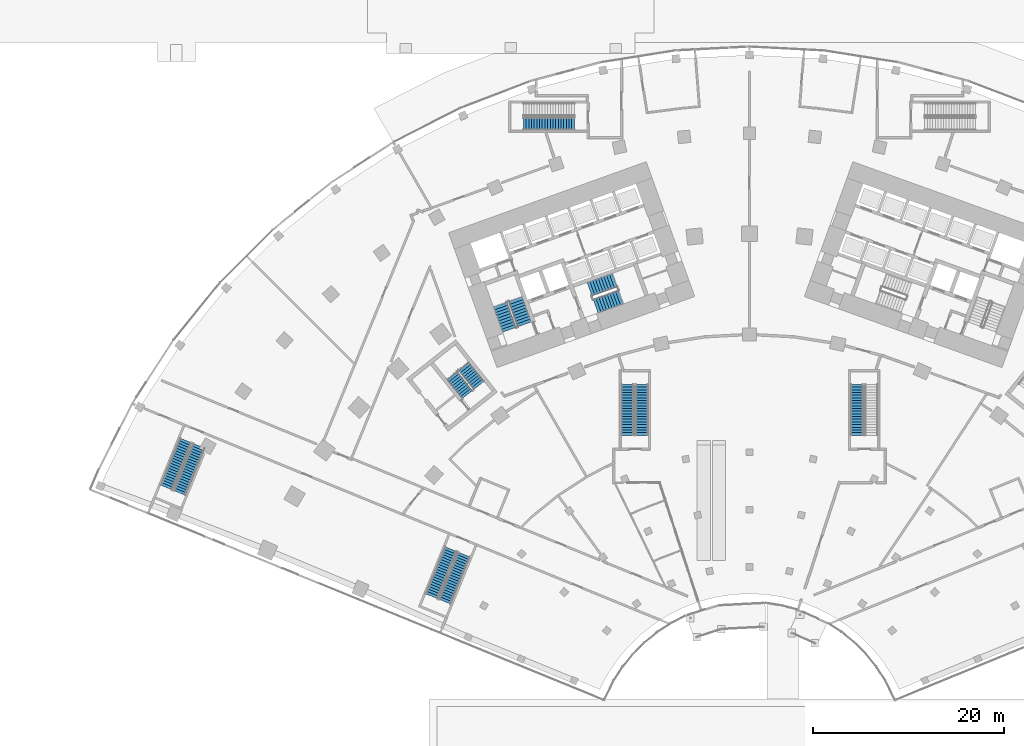
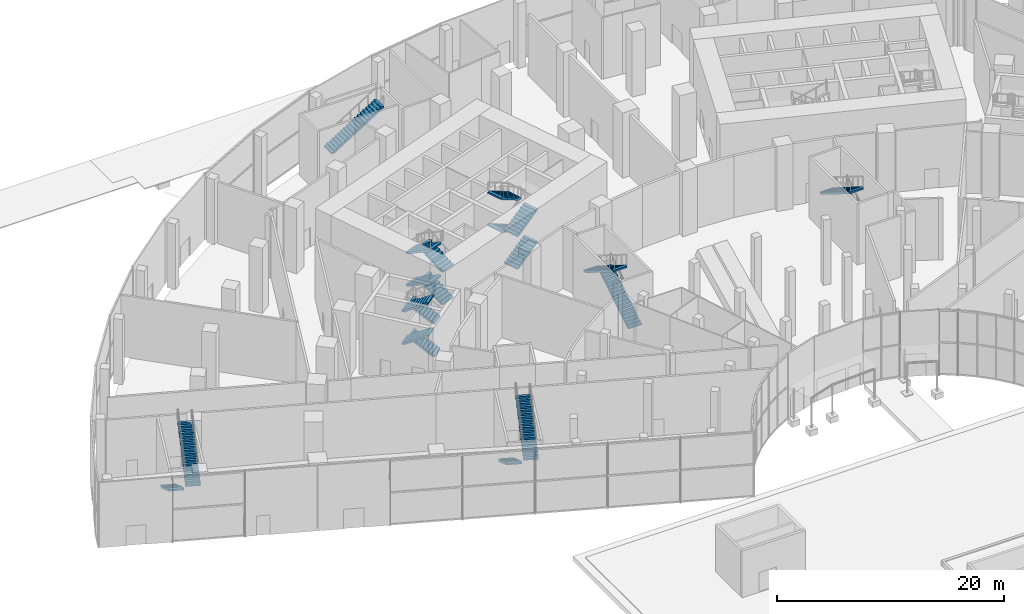
# One storey, part 39 of 60: 20 stair flights, 8 elements without a shape of their own.
"""IFC4 building model written with IfcOpenShell, lengths in metres."""

from ifc_helpers import new_model, si_unit, direction, frame, origin, place, context, subcontext, project, spatial, polyline, outline, extrude, material, layer, layer_set, type_object, element, aggregate, save


model = new_model("IFC4")

# Units and contexts
model_context = context("Model", 3, precision=1e-05, world=origin(), true_north=direction((0.0, 1.0)))
body_context = subcontext(model_context, "Body", "Model", "MODEL_VIEW")
ifc_project = project(units=[si_unit("LENGTHUNIT", "METRE"), si_unit("AREAUNIT", "SQUARE_METRE"), si_unit("VOLUMEUNIT", "CUBIC_METRE"), si_unit("PLANEANGLEUNIT", "RADIAN"), si_unit("MASSUNIT", "GRAM", prefix="KILO")], contexts=[model_context])

# Site, building, storey
site_placement = place(None, origin())
site = spatial("IfcSite", under=ifc_project, at=site_placement, CompositionType="ELEMENT")
building_placement = place(site_placement, origin())
building = spatial("IfcBuilding", under=site, at=building_placement, Name="Stone Belt Terrace Tower", CompositionType="ELEMENT")
storey_placement = place(building_placement, origin())
storey = spatial("IfcBuildingStorey", under=building, at=storey_placement, Name="L00", CompositionType="ELEMENT", Elevation=0.0)

# Stair, stair flights
ifc_material_1 = material(Name="Concrete B30", Category="concrete")
stair_type_1 = type_object("IfcStairType", Name="Podium stair concrete B30", PredefinedType="HALF_TURN_STAIR", material=ifc_material_1)
stair_1_placement = place(storey_placement, origin())
stair_1 = element("IfcStair", 1, at=stair_1_placement, inside=storey, type_object=stair_type_1, Name="L00 podium exit stair 1", PredefinedType="HALF_TURN_STAIR")
ifc_layer = layer(ifc_material_1, 0.14990234375)
ifc_layer_set = layer_set([ifc_layer], Name="Podium stair flight concrete B30")
stair_flight_type_1 = type_object("IfcStairFlightType", Name="Podium stair flight concrete B30", PredefinedType="STRAIGHT", material=ifc_layer_set)
stair_flight_1_placement = place(storey_placement, frame((-31.255126953125, 21.964111328125, 0.0), z_axis=(0.0, 0.0, 1.0), x_axis=(-0.37924309334, -0.925297074541, 0.0)))
stair_flight_1 = element("IfcStairFlight", 2, at=stair_flight_1_placement, type_object=stair_flight_type_1, Name="PS1 flight 1", NumberOfRisers=20, NumberOfTreads=19, PredefinedType="STRAIGHT", RiserHeight=0.175, TreadLength=0.28, context=body_context, shape_type="SweptSolid", body=[
    extrude(outline(polyline([(0.0, 0.0), (0.0, 0.175048828125), (0.280029296875, 0.175048828125), (0.280029296875, 0.35009765625), (0.56005859375, 0.35009765625), (0.56005859375, 0.52490234375), (0.840087890625, 0.52490234375), (0.840087890625, 0.699951171875), (1.1201171875, 0.699951171875), (1.1201171875, 0.875), (1.39990234375, 0.875), (1.39990234375, 1.050048828125), (1.679931640625, 1.050048828125), (1.679931640625, 1.22509765625), (1.9599609375, 1.22509765625), (1.9599609375, 1.39990234375), (2.239990234375, 1.39990234375), (2.239990234375, 1.574951171875), (2.52001953125, 1.574951171875), (2.52001953125, 1.75), (2.800048828125, 1.75), (2.800048828125, 1.925048828125), (3.080078125, 1.925048828125), (3.080078125, 2.10009765625), (3.360107421875, 2.10009765625), (3.360107421875, 2.27490234375), (3.639892578125, 2.27490234375), (3.639892578125, 2.449951171875), (3.919921875, 2.449951171875), (3.919921875, 2.625), (4.199951171875, 2.625), (4.199951171875, 2.800048828125), (4.47998046875, 2.800048828125), (4.47998046875, 2.97509765625), (4.760009765625, 2.97509765625), (4.760009765625, 3.14990234375), (5.0400390625, 3.14990234375), (5.0400390625, 3.324951171875), (5.320068359375, 3.324951171875), (5.320068359375, 3.5), (5.320068359375, 3.148193359375), (0.28271484375, 0.0), (0.0, 0.0)])), frame((0.0, 0.675048828125, 0.0), z_axis=(0.0, -1.0, 0.0), x_axis=(1.0, 0.0, 0.0)), (0.0, 0.0, 1.0), 1.35009765625),
])
stair_flight_2_placement = place(storey_placement, frame((-31.884765625, 16.47265625, 3.5), z_axis=(0.0, 0.0, 1.0), x_axis=(0.37924309334, 0.925297074541, 0.0)))
stair_flight_2 = element("IfcStairFlight", 3, at=stair_flight_2_placement, type_object=stair_flight_type_1, Name="PS1 flight 2", NumberOfRisers=20, NumberOfTreads=19, PredefinedType="STRAIGHT", RiserHeight=0.175, TreadLength=0.28, context=body_context, shape_type="SweptSolid", body=[
    extrude(outline(polyline([(0.0, 0.0), (0.0, 0.175048828125), (0.280029296875, 0.175048828125), (0.280029296875, 0.35009765625), (0.56005859375, 0.35009765625), (0.56005859375, 0.52490234375), (0.840087890625, 0.52490234375), (0.840087890625, 0.699951171875), (1.1201171875, 0.699951171875), (1.1201171875, 0.875), (1.39990234375, 0.875), (1.39990234375, 1.050048828125), (1.679931640625, 1.050048828125), (1.679931640625, 1.22509765625), (1.9599609375, 1.22509765625), (1.9599609375, 1.39990234375), (2.239990234375, 1.39990234375), (2.239990234375, 1.574951171875), (2.52001953125, 1.574951171875), (2.52001953125, 1.75), (2.800048828125, 1.75), (2.800048828125, 1.925048828125), (3.080078125, 1.925048828125), (3.080078125, 2.10009765625), (3.360107421875, 2.10009765625), (3.360107421875, 2.27490234375), (3.639892578125, 2.27490234375), (3.639892578125, 2.449951171875), (3.919921875, 2.449951171875), (3.919921875, 2.625), (4.199951171875, 2.625), (4.199951171875, 2.800048828125), (4.47998046875, 2.800048828125), (4.47998046875, 2.97509765625), (4.760009765625, 2.97509765625), (4.760009765625, 3.14990234375), (5.0400390625, 3.14990234375), (5.0400390625, 3.324951171875), (5.320068359375, 3.324951171875), (5.320068359375, 3.5), (5.320068359375, 3.148193359375), (0.28271484375, 0.0), (0.0, 0.0)])), frame((0.0, 0.675048828125, 0.0), z_axis=(0.0, -1.0, 0.0), x_axis=(1.0, 0.0, 0.0)), (0.0, 0.0, 1.0), 1.35009765625),
])
aggregate(stair_1, [stair_flight_1, stair_flight_2])

stair_2_placement = place(storey_placement, origin())
stair_2 = element("IfcStair", 4, at=stair_2_placement, inside=storey, type_object=stair_type_1, Name="L00 podium exit stair 2", PredefinedType="HALF_TURN_STAIR")
stair_flight_3_placement = place(storey_placement, frame((-59.01416015625, 33.34130859375, 0.0), z_axis=(0.0, 0.0, 1.0), x_axis=(-0.37924309334, -0.925297074541, 0.0)))
stair_flight_3 = element("IfcStairFlight", 5, at=stair_flight_3_placement, type_object=stair_flight_type_1, Name="PS2 flight 1", NumberOfRisers=20, NumberOfTreads=19, PredefinedType="STRAIGHT", RiserHeight=0.175, TreadLength=0.28, context=body_context, shape_type="SweptSolid", body=[
    extrude(outline(polyline([(0.0, 0.0), (0.0, 0.175048828125), (0.280029296875, 0.175048828125), (0.280029296875, 0.35009765625), (0.56005859375, 0.35009765625), (0.56005859375, 0.52490234375), (0.840087890625, 0.52490234375), (0.840087890625, 0.699951171875), (1.1201171875, 0.699951171875), (1.1201171875, 0.875), (1.39990234375, 0.875), (1.39990234375, 1.050048828125), (1.679931640625, 1.050048828125), (1.679931640625, 1.22509765625), (1.9599609375, 1.22509765625), (1.9599609375, 1.39990234375), (2.239990234375, 1.39990234375), (2.239990234375, 1.574951171875), (2.52001953125, 1.574951171875), (2.52001953125, 1.75), (2.800048828125, 1.75), (2.800048828125, 1.925048828125), (3.080078125, 1.925048828125), (3.080078125, 2.10009765625), (3.360107421875, 2.10009765625), (3.360107421875, 2.27490234375), (3.639892578125, 2.27490234375), (3.639892578125, 2.449951171875), (3.919921875, 2.449951171875), (3.919921875, 2.625), (4.199951171875, 2.625), (4.199951171875, 2.800048828125), (4.47998046875, 2.800048828125), (4.47998046875, 2.97509765625), (4.760009765625, 2.97509765625), (4.760009765625, 3.14990234375), (5.0400390625, 3.14990234375), (5.0400390625, 3.324951171875), (5.320068359375, 3.324951171875), (5.320068359375, 3.5), (5.320068359375, 3.148193359375), (0.28271484375, 0.0), (0.0, 0.0)])), frame((0.0, 0.675048828125, 0.0), z_axis=(0.0, -1.0, 0.0), x_axis=(1.0, 0.0, 0.0)), (0.0, 0.0, 1.0), 1.35009765625),
])
stair_flight_4_placement = place(storey_placement, frame((-59.6435546875, 27.849853515625, 3.5), z_axis=(0.0, 0.0, 1.0), x_axis=(0.37924309334, 0.925297074541, 0.0)))
stair_flight_4 = element("IfcStairFlight", 6, at=stair_flight_4_placement, type_object=stair_flight_type_1, Name="PS2 flight 2", NumberOfRisers=20, NumberOfTreads=19, PredefinedType="STRAIGHT", RiserHeight=0.175, TreadLength=0.28, context=body_context, shape_type="SweptSolid", body=[
    extrude(outline(polyline([(0.0, 0.0), (0.0, 0.175048828125), (0.280029296875, 0.175048828125), (0.280029296875, 0.35009765625), (0.56005859375, 0.35009765625), (0.56005859375, 0.52490234375), (0.840087890625, 0.52490234375), (0.840087890625, 0.699951171875), (1.1201171875, 0.699951171875), (1.1201171875, 0.875), (1.39990234375, 0.875), (1.39990234375, 1.050048828125), (1.679931640625, 1.050048828125), (1.679931640625, 1.22509765625), (1.9599609375, 1.22509765625), (1.9599609375, 1.39990234375), (2.239990234375, 1.39990234375), (2.239990234375, 1.574951171875), (2.52001953125, 1.574951171875), (2.52001953125, 1.75), (2.800048828125, 1.75), (2.800048828125, 1.925048828125), (3.080078125, 1.925048828125), (3.080078125, 2.10009765625), (3.360107421875, 2.10009765625), (3.360107421875, 2.27490234375), (3.639892578125, 2.27490234375), (3.639892578125, 2.449951171875), (3.919921875, 2.449951171875), (3.919921875, 2.625), (4.199951171875, 2.625), (4.199951171875, 2.800048828125), (4.47998046875, 2.800048828125), (4.47998046875, 2.97509765625), (4.760009765625, 2.97509765625), (4.760009765625, 3.14990234375), (5.0400390625, 3.14990234375), (5.0400390625, 3.324951171875), (5.320068359375, 3.324951171875), (5.320068359375, 3.5), (5.320068359375, 3.148193359375), (0.28271484375, 0.0), (0.0, 0.0)])), frame((0.0, 0.675048828125, 0.0), z_axis=(0.0, -1.0, 0.0), x_axis=(1.0, 0.0, 0.0)), (0.0, 0.0, 1.0), 1.35009765625),
])
aggregate(stair_2, [stair_flight_3, stair_flight_4])

stair_3_placement = place(storey_placement, origin())
stair_3 = element("IfcStair", 7, at=stair_3_placement, inside=storey, type_object=stair_type_1, Name="L00 podium exit stair 5", PredefinedType="HALF_TURN_STAIR")
stair_flight_5_placement = place(storey_placement, frame((-11.25, 33.889892578125, 0.0), z_axis=(0.0, 0.0, 1.0), x_axis=(0.0, 1.0, 0.0)))
stair_flight_5 = element("IfcStairFlight", 8, at=stair_flight_5_placement, type_object=stair_flight_type_1, Name="PS5 flight 1", NumberOfRisers=20, NumberOfTreads=19, PredefinedType="STRAIGHT", RiserHeight=0.175, TreadLength=0.28, context=body_context, shape_type="SweptSolid", body=[
    extrude(outline(polyline([(0.0, 0.0), (0.0, 0.175048828125), (0.280029296875, 0.175048828125), (0.280029296875, 0.35009765625), (0.56005859375, 0.35009765625), (0.56005859375, 0.52490234375), (0.840087890625, 0.52490234375), (0.840087890625, 0.699951171875), (1.1201171875, 0.699951171875), (1.1201171875, 0.875), (1.39990234375, 0.875), (1.39990234375, 1.050048828125), (1.679931640625, 1.050048828125), (1.679931640625, 1.22509765625), (1.9599609375, 1.22509765625), (1.9599609375, 1.39990234375), (2.239990234375, 1.39990234375), (2.239990234375, 1.574951171875), (2.52001953125, 1.574951171875), (2.52001953125, 1.75), (2.800048828125, 1.75), (2.800048828125, 1.925048828125), (3.080078125, 1.925048828125), (3.080078125, 2.10009765625), (3.360107421875, 2.10009765625), (3.360107421875, 2.27490234375), (3.639892578125, 2.27490234375), (3.639892578125, 2.449951171875), (3.919921875, 2.449951171875), (3.919921875, 2.625), (4.199951171875, 2.625), (4.199951171875, 2.800048828125), (4.47998046875, 2.800048828125), (4.47998046875, 2.97509765625), (4.760009765625, 2.97509765625), (4.760009765625, 3.14990234375), (5.0400390625, 3.14990234375), (5.0400390625, 3.324951171875), (5.320068359375, 3.324951171875), (5.320068359375, 3.5), (5.320068359375, 3.148193359375), (0.28271484375, 0.0), (0.0, 0.0)])), frame((0.0, 0.675048828125, 0.0), z_axis=(0.0, -1.0, 0.0), x_axis=(1.0, 0.0, 0.0)), (0.0, 0.0, 1.0), 1.35009765625),
])
stair_flight_6_placement = place(storey_placement, frame((-12.75, 39.2099609375, 3.5), z_axis=(0.0, 0.0, 1.0), x_axis=(0.0, -1.0, 0.0)))
stair_flight_6 = element("IfcStairFlight", 9, at=stair_flight_6_placement, type_object=stair_flight_type_1, Name="PS5 flight 2", NumberOfRisers=20, NumberOfTreads=19, PredefinedType="STRAIGHT", RiserHeight=0.175, TreadLength=0.28, context=body_context, shape_type="SweptSolid", body=[
    extrude(outline(polyline([(0.0, 0.0), (0.0, 0.175048828125), (0.280029296875, 0.175048828125), (0.280029296875, 0.35009765625), (0.56005859375, 0.35009765625), (0.56005859375, 0.52490234375), (0.840087890625, 0.52490234375), (0.840087890625, 0.699951171875), (1.1201171875, 0.699951171875), (1.1201171875, 0.875), (1.39990234375, 0.875), (1.39990234375, 1.050048828125), (1.679931640625, 1.050048828125), (1.679931640625, 1.22509765625), (1.9599609375, 1.22509765625), (1.9599609375, 1.39990234375), (2.239990234375, 1.39990234375), (2.239990234375, 1.574951171875), (2.52001953125, 1.574951171875), (2.52001953125, 1.75), (2.800048828125, 1.75), (2.800048828125, 1.925048828125), (3.080078125, 1.925048828125), (3.080078125, 2.10009765625), (3.360107421875, 2.10009765625), (3.360107421875, 2.27490234375), (3.639892578125, 2.27490234375), (3.639892578125, 2.449951171875), (3.919921875, 2.449951171875), (3.919921875, 2.625), (4.199951171875, 2.625), (4.199951171875, 2.800048828125), (4.47998046875, 2.800048828125), (4.47998046875, 2.97509765625), (4.760009765625, 2.97509765625), (4.760009765625, 3.14990234375), (5.0400390625, 3.14990234375), (5.0400390625, 3.324951171875), (5.320068359375, 3.324951171875), (5.320068359375, 3.5), (5.320068359375, 3.148193359375), (0.28271484375, 0.0), (0.0, 0.0)])), frame((0.0, 0.675048828125, 0.0), z_axis=(0.0, -1.0, 0.0), x_axis=(1.0, 0.0, 0.0)), (0.0, 0.0, 1.0), 1.35009765625),
])
aggregate(stair_3, [stair_flight_5, stair_flight_6])

# Stair, stair flight
stair_4_placement = place(storey_placement, origin())
stair_4 = element("IfcStair", 10, at=stair_4_placement, inside=storey, type_object=stair_type_1, Name="L00 podium exit stair 6", PredefinedType="HALF_TURN_STAIR")
stair_flight_7_placement = place(storey_placement, frame((11.25, 39.2099609375, 3.5), z_axis=(0.0, 0.0, 1.0), x_axis=(0.0, -1.0, 0.0)))
stair_flight_7 = element("IfcStairFlight", 11, at=stair_flight_7_placement, type_object=stair_flight_type_1, Name="PS6 flight 2", NumberOfRisers=20, NumberOfTreads=19, PredefinedType="STRAIGHT", RiserHeight=0.175, TreadLength=0.28, context=body_context, shape_type="SweptSolid", body=[
    extrude(outline(polyline([(0.0, 0.0), (0.0, 0.175048828125), (0.280029296875, 0.175048828125), (0.280029296875, 0.35009765625), (0.56005859375, 0.35009765625), (0.56005859375, 0.52490234375), (0.840087890625, 0.52490234375), (0.840087890625, 0.699951171875), (1.1201171875, 0.699951171875), (1.1201171875, 0.875), (1.39990234375, 0.875), (1.39990234375, 1.050048828125), (1.679931640625, 1.050048828125), (1.679931640625, 1.22509765625), (1.9599609375, 1.22509765625), (1.9599609375, 1.39990234375), (2.239990234375, 1.39990234375), (2.239990234375, 1.574951171875), (2.52001953125, 1.574951171875), (2.52001953125, 1.75), (2.800048828125, 1.75), (2.800048828125, 1.925048828125), (3.080078125, 1.925048828125), (3.080078125, 2.10009765625), (3.360107421875, 2.10009765625), (3.360107421875, 2.27490234375), (3.639892578125, 2.27490234375), (3.639892578125, 2.449951171875), (3.919921875, 2.449951171875), (3.919921875, 2.625), (4.199951171875, 2.625), (4.199951171875, 2.800048828125), (4.47998046875, 2.800048828125), (4.47998046875, 2.97509765625), (4.760009765625, 2.97509765625), (4.760009765625, 3.14990234375), (5.0400390625, 3.14990234375), (5.0400390625, 3.324951171875), (5.320068359375, 3.324951171875), (5.320068359375, 3.5), (5.320068359375, 3.148193359375), (0.28271484375, 0.0), (0.0, 0.0)])), frame((0.0, 0.675048828125, 0.0), z_axis=(0.0, -1.0, 0.0), x_axis=(1.0, 0.0, 0.0)), (0.0, 0.0, 1.0), 1.35009765625),
])
aggregate(stair_4, [stair_flight_7])

stair_5_placement = place(storey_placement, origin())
stair_5 = element("IfcStair", 12, at=stair_5_placement, inside=storey, type_object=stair_type_1, Name="L00 podium exit stair 7", PredefinedType="HALF_TURN_STAIR")
stair_flight_8_placement = place(storey_placement, frame((-23.659912109375, 66.5, 3.5), z_axis=(0.0, 0.0, 1.0), x_axis=(1.0, 0.0, 0.0)))
stair_flight_8 = element("IfcStairFlight", 13, at=stair_flight_8_placement, type_object=stair_flight_type_1, Name="PS7 flight 2", NumberOfRisers=20, NumberOfTreads=19, PredefinedType="STRAIGHT", RiserHeight=0.175, TreadLength=0.28, context=body_context, shape_type="SweptSolid", body=[
    extrude(outline(polyline([(0.0, 0.0), (0.0, 0.175048828125), (0.280029296875, 0.175048828125), (0.280029296875, 0.35009765625), (0.56005859375, 0.35009765625), (0.56005859375, 0.52490234375), (0.840087890625, 0.52490234375), (0.840087890625, 0.699951171875), (1.1201171875, 0.699951171875), (1.1201171875, 0.875), (1.39990234375, 0.875), (1.39990234375, 1.050048828125), (1.679931640625, 1.050048828125), (1.679931640625, 1.22509765625), (1.9599609375, 1.22509765625), (1.9599609375, 1.39990234375), (2.239990234375, 1.39990234375), (2.239990234375, 1.574951171875), (2.52001953125, 1.574951171875), (2.52001953125, 1.75), (2.800048828125, 1.75), (2.800048828125, 1.925048828125), (3.080078125, 1.925048828125), (3.080078125, 2.10009765625), (3.360107421875, 2.10009765625), (3.360107421875, 2.27490234375), (3.639892578125, 2.27490234375), (3.639892578125, 2.449951171875), (3.919921875, 2.449951171875), (3.919921875, 2.625), (4.199951171875, 2.625), (4.199951171875, 2.800048828125), (4.47998046875, 2.800048828125), (4.47998046875, 2.97509765625), (4.760009765625, 2.97509765625), (4.760009765625, 3.14990234375), (5.0400390625, 3.14990234375), (5.0400390625, 3.324951171875), (5.320068359375, 3.324951171875), (5.320068359375, 3.5), (5.320068359375, 3.148193359375), (0.28271484375, 0.0), (0.0, 0.0)])), frame((0.0, 0.675048828125, 0.0), z_axis=(0.0, -1.0, 0.0), x_axis=(1.0, 0.0, 0.0)), (0.0, 0.0, 1.0), 1.35009765625),
])
aggregate(stair_5, [stair_flight_8])

# Stair, stair flights
ifc_material_2 = material(Name="Concrete B40", Category="concrete")
stair_type_2 = type_object("IfcStairType", Name="Exit stair 1500", PredefinedType="HALF_TURN_STAIR", material=ifc_material_2)
stair_6_placement = place(storey_placement, origin())
stair_6 = element("IfcStair", 14, at=stair_6_placement, inside=storey, type_object=stair_type_2, Name="L00 Exit stair 1 core A", PredefinedType="HALF_TURN_STAIR")
stair_flight_type_2 = type_object("IfcStairFlightType", Name="Stair flight 1500", PredefinedType="STRAIGHT", material=ifc_material_2)
stair_flight_9_placement = place(storey_placement, frame((-23.55322265625, 45.51318359375, 0.0), z_axis=(0.0, 0.0, 1.0), x_axis=(-0.338624396177, 0.940921632398, 0.0)))
stair_flight_9 = element("IfcStairFlight", 15, at=stair_flight_9_placement, type_object=stair_flight_type_2, Name="ST1A flight 1", NumberOfRisers=10, NumberOfTreads=9, PredefinedType="STRAIGHT", RiserHeight=0.175, TreadLength=0.31, context=body_context, shape_type="SweptSolid", body=[
    extrude(outline(polyline([(0.0, 0.0), (0.0, 0.175048828125), (0.31005859375, 0.175048828125), (0.31005859375, 0.35009765625), (0.6201171875, 0.35009765625), (0.6201171875, 0.52490234375), (0.929931640625, 0.52490234375), (0.929931640625, 0.699951171875), (1.239990234375, 0.699951171875), (1.239990234375, 0.875), (1.550048828125, 0.875), (1.550048828125, 1.050048828125), (1.860107421875, 1.050048828125), (1.860107421875, 1.22509765625), (2.169921875, 1.22509765625), (2.169921875, 1.39990234375), (2.47998046875, 1.39990234375), (2.47998046875, 1.574951171875), (2.7900390625, 1.574951171875), (2.7900390625, 1.75), (2.7900390625, 1.40283203125), (0.304931640625, 0.0), (0.0, 0.0)])), frame((0.0, 0.75, 0.0), z_axis=(0.0, -1.0, 0.0), x_axis=(1.0, 0.0, 0.0)), (0.0, 0.0, 1.0), 1.5),
])
stair_flight_10_placement = place(storey_placement, frame((-26.09765625, 47.5625, 1.75), z_axis=(0.0, 0.0, 1.0), x_axis=(0.338624396177, -0.940921632398, 0.0)))
stair_flight_10 = element("IfcStairFlight", 16, at=stair_flight_10_placement, type_object=stair_flight_type_2, Name="ST1A flight 2", NumberOfRisers=10, NumberOfTreads=9, PredefinedType="STRAIGHT", RiserHeight=0.175, TreadLength=0.31, context=body_context, shape_type="SweptSolid", body=[
    extrude(outline(polyline([(0.0, 0.0), (0.0, 0.175048828125), (0.31005859375, 0.175048828125), (0.31005859375, 0.35009765625), (0.6201171875, 0.35009765625), (0.6201171875, 0.52490234375), (0.929931640625, 0.52490234375), (0.929931640625, 0.699951171875), (1.239990234375, 0.699951171875), (1.239990234375, 0.875), (1.550048828125, 0.875), (1.550048828125, 1.050048828125), (1.860107421875, 1.050048828125), (1.860107421875, 1.22509765625), (2.169921875, 1.22509765625), (2.169921875, 1.39990234375), (2.47998046875, 1.39990234375), (2.47998046875, 1.574951171875), (2.7900390625, 1.574951171875), (2.7900390625, 1.75), (2.7900390625, 1.40283203125), (0.304931640625, 0.0), (0.0, 0.0)])), frame((0.0, 0.75, 0.0), z_axis=(0.0, -1.0, 0.0), x_axis=(1.0, 0.0, 0.0)), (0.0, 0.0, 1.0), 1.5),
])
stair_flight_11_placement = place(storey_placement, frame((-23.55322265625, 45.51318359375, 3.5), z_axis=(0.0, 0.0, 1.0), x_axis=(-0.338624396177, 0.940921632398, 0.0)))
stair_flight_11 = element("IfcStairFlight", 17, at=stair_flight_11_placement, type_object=stair_flight_type_2, Name="ST1A flight 3", NumberOfRisers=10, NumberOfTreads=9, PredefinedType="STRAIGHT", RiserHeight=0.175, TreadLength=0.31, context=body_context, shape_type="SweptSolid", body=[
    extrude(outline(polyline([(0.0, 0.0), (0.0, 0.175048828125), (0.31005859375, 0.175048828125), (0.31005859375, 0.35009765625), (0.6201171875, 0.35009765625), (0.6201171875, 0.52490234375), (0.929931640625, 0.52490234375), (0.929931640625, 0.699951171875), (1.239990234375, 0.699951171875), (1.239990234375, 0.875), (1.550048828125, 0.875), (1.550048828125, 1.050048828125), (1.860107421875, 1.050048828125), (1.860107421875, 1.22509765625), (2.169921875, 1.22509765625), (2.169921875, 1.39990234375), (2.47998046875, 1.39990234375), (2.47998046875, 1.574951171875), (2.7900390625, 1.574951171875), (2.7900390625, 1.75), (2.7900390625, 1.40283203125), (0.304931640625, 0.0), (0.0, 0.0)])), frame((0.0, 0.75, 0.0), z_axis=(0.0, -1.0, 0.0), x_axis=(1.0, 0.0, 0.0)), (0.0, 0.0, 1.0), 1.5),
])
stair_flight_12_placement = place(storey_placement, frame((-26.09765625, 47.5625, 5.25), z_axis=(0.0, 0.0, 1.0), x_axis=(0.338624396177, -0.940921632398, 0.0)))
stair_flight_12 = element("IfcStairFlight", 18, at=stair_flight_12_placement, type_object=stair_flight_type_2, Name="ST1A flight 4", NumberOfRisers=10, NumberOfTreads=9, PredefinedType="STRAIGHT", RiserHeight=0.175, TreadLength=0.31, context=body_context, shape_type="SweptSolid", body=[
    extrude(outline(polyline([(0.0, 0.0), (0.0, 0.175048828125), (0.31005859375, 0.175048828125), (0.31005859375, 0.35009765625), (0.6201171875, 0.35009765625), (0.6201171875, 0.52490234375), (0.929931640625, 0.52490234375), (0.929931640625, 0.699951171875), (1.239990234375, 0.699951171875), (1.239990234375, 0.875), (1.550048828125, 0.875), (1.550048828125, 1.050048828125), (1.860107421875, 1.050048828125), (1.860107421875, 1.22509765625), (2.169921875, 1.22509765625), (2.169921875, 1.39990234375), (2.47998046875, 1.39990234375), (2.47998046875, 1.574951171875), (2.7900390625, 1.574951171875), (2.7900390625, 1.75), (2.7900390625, 1.40283203125), (0.304931640625, 0.0), (0.0, 0.0)])), frame((0.0, 0.75, 0.0), z_axis=(0.0, -1.0, 0.0), x_axis=(1.0, 0.0, 0.0)), (0.0, 0.0, 1.0), 1.5),
])
aggregate(stair_6, [stair_flight_9, stair_flight_10, stair_flight_11, stair_flight_12])

stair_7_placement = place(storey_placement, origin())
stair_7 = element("IfcStair", 19, at=stair_7_placement, inside=storey, type_object=stair_type_2, Name="L00 Exit stair 2 core A", PredefinedType="HALF_TURN_STAIR")
stair_flight_13_placement = place(storey_placement, frame((-16.101318359375, 47.39794921875, 0.0), z_axis=(0.0, 0.0, 1.0), x_axis=(0.940921632398, 0.338624396177, 0.0)))
stair_flight_13 = element("IfcStairFlight", 20, at=stair_flight_13_placement, type_object=stair_flight_type_2, Name="ST2A flight 1", NumberOfRisers=10, NumberOfTreads=9, PredefinedType="STRAIGHT", RiserHeight=0.175, TreadLength=0.31, context=body_context, shape_type="SweptSolid", body=[
    extrude(outline(polyline([(0.0, 0.0), (0.0, 0.175048828125), (0.31005859375, 0.175048828125), (0.31005859375, 0.35009765625), (0.6201171875, 0.35009765625), (0.6201171875, 0.52490234375), (0.929931640625, 0.52490234375), (0.929931640625, 0.699951171875), (1.239990234375, 0.699951171875), (1.239990234375, 0.875), (1.550048828125, 0.875), (1.550048828125, 1.050048828125), (1.860107421875, 1.050048828125), (1.860107421875, 1.22509765625), (2.169921875, 1.22509765625), (2.169921875, 1.39990234375), (2.47998046875, 1.39990234375), (2.47998046875, 1.574951171875), (2.7900390625, 1.574951171875), (2.7900390625, 1.75), (2.7900390625, 1.40283203125), (0.304931640625, 0.0), (0.0, 0.0)])), frame((0.0, 0.75, 0.0), z_axis=(0.0, -1.0, 0.0), x_axis=(1.0, 0.0, 0.0)), (0.0, 0.0, 1.0), 1.5),
])
stair_flight_14_placement = place(storey_placement, frame((-14.11962890625, 50.13037109375, 1.75), z_axis=(0.0, 0.0, 1.0), x_axis=(-0.940921632398, -0.338624396177, 0.0)))
stair_flight_14 = element("IfcStairFlight", 21, at=stair_flight_14_placement, type_object=stair_flight_type_2, Name="ST2A flight 2", NumberOfRisers=10, NumberOfTreads=9, PredefinedType="STRAIGHT", RiserHeight=0.175, TreadLength=0.31, context=body_context, shape_type="SweptSolid", body=[
    extrude(outline(polyline([(0.0, 0.0), (0.0, 0.175048828125), (0.31005859375, 0.175048828125), (0.31005859375, 0.35009765625), (0.6201171875, 0.35009765625), (0.6201171875, 0.52490234375), (0.929931640625, 0.52490234375), (0.929931640625, 0.699951171875), (1.239990234375, 0.699951171875), (1.239990234375, 0.875), (1.550048828125, 0.875), (1.550048828125, 1.050048828125), (1.860107421875, 1.050048828125), (1.860107421875, 1.22509765625), (2.169921875, 1.22509765625), (2.169921875, 1.39990234375), (2.47998046875, 1.39990234375), (2.47998046875, 1.574951171875), (2.7900390625, 1.574951171875), (2.7900390625, 1.75), (2.7900390625, 1.40283203125), (0.304931640625, 0.0), (0.0, 0.0)])), frame((0.0, 0.75, 0.0), z_axis=(0.0, -1.0, 0.0), x_axis=(1.0, 0.0, 0.0)), (0.0, 0.0, 1.0), 1.5),
])
stair_flight_15_placement = place(storey_placement, frame((-16.101318359375, 47.39794921875, 3.5), z_axis=(0.0, 0.0, 1.0), x_axis=(0.940921632398, 0.338624396177, 0.0)))
stair_flight_15 = element("IfcStairFlight", 22, at=stair_flight_15_placement, type_object=stair_flight_type_2, Name="ST2A flight 3", NumberOfRisers=10, NumberOfTreads=9, PredefinedType="STRAIGHT", RiserHeight=0.175, TreadLength=0.31, context=body_context, shape_type="SweptSolid", body=[
    extrude(outline(polyline([(0.0, 0.0), (0.0, 0.175048828125), (0.31005859375, 0.175048828125), (0.31005859375, 0.35009765625), (0.6201171875, 0.35009765625), (0.6201171875, 0.52490234375), (0.929931640625, 0.52490234375), (0.929931640625, 0.699951171875), (1.239990234375, 0.699951171875), (1.239990234375, 0.875), (1.550048828125, 0.875), (1.550048828125, 1.050048828125), (1.860107421875, 1.050048828125), (1.860107421875, 1.22509765625), (2.169921875, 1.22509765625), (2.169921875, 1.39990234375), (2.47998046875, 1.39990234375), (2.47998046875, 1.574951171875), (2.7900390625, 1.574951171875), (2.7900390625, 1.75), (2.7900390625, 1.40283203125), (0.304931640625, 0.0), (0.0, 0.0)])), frame((0.0, 0.75, 0.0), z_axis=(0.0, -1.0, 0.0), x_axis=(1.0, 0.0, 0.0)), (0.0, 0.0, 1.0), 1.5),
])
stair_flight_16_placement = place(storey_placement, frame((-14.11962890625, 50.13037109375, 5.25), z_axis=(0.0, 0.0, 1.0), x_axis=(-0.940921632398, -0.338624396177, 0.0)))
stair_flight_16 = element("IfcStairFlight", 23, at=stair_flight_16_placement, type_object=stair_flight_type_2, Name="ST2A flight 4", NumberOfRisers=10, NumberOfTreads=9, PredefinedType="STRAIGHT", RiserHeight=0.175, TreadLength=0.31, context=body_context, shape_type="SweptSolid", body=[
    extrude(outline(polyline([(0.0, 0.0), (0.0, 0.175048828125), (0.31005859375, 0.175048828125), (0.31005859375, 0.35009765625), (0.6201171875, 0.35009765625), (0.6201171875, 0.52490234375), (0.929931640625, 0.52490234375), (0.929931640625, 0.699951171875), (1.239990234375, 0.699951171875), (1.239990234375, 0.875), (1.550048828125, 0.875), (1.550048828125, 1.050048828125), (1.860107421875, 1.050048828125), (1.860107421875, 1.22509765625), (2.169921875, 1.22509765625), (2.169921875, 1.39990234375), (2.47998046875, 1.39990234375), (2.47998046875, 1.574951171875), (2.7900390625, 1.574951171875), (2.7900390625, 1.75), (2.7900390625, 1.40283203125), (0.304931640625, 0.0), (0.0, 0.0)])), frame((0.0, 0.75, 0.0), z_axis=(0.0, -1.0, 0.0), x_axis=(1.0, 0.0, 0.0)), (0.0, 0.0, 1.0), 1.5),
])
aggregate(stair_7, [stair_flight_13, stair_flight_14, stair_flight_15, stair_flight_16])

stair_8_placement = place(storey_placement, origin())
stair_8 = element("IfcStair", 24, at=stair_8_placement, inside=storey, type_object=stair_type_2, Name="L00 Exit stair 3A", PredefinedType="HALF_TURN_STAIR")
stair_flight_17_placement = place(storey_placement, frame((-28.325439453125, 39.1240234375, 0.0), z_axis=(0.0, 0.0, 1.0), x_axis=(-0.623121363691, 0.782125160132, 0.0)))
stair_flight_17 = element("IfcStairFlight", 25, at=stair_flight_17_placement, type_object=stair_flight_type_2, Name="ST3A flight 1", NumberOfRisers=10, NumberOfTreads=9, PredefinedType="STRAIGHT", RiserHeight=0.175, TreadLength=0.28, context=body_context, shape_type="SweptSolid", body=[
    extrude(outline(polyline([(0.0, 0.0), (0.0, 0.175048828125), (0.280029296875, 0.175048828125), (0.280029296875, 0.35009765625), (0.56005859375, 0.35009765625), (0.56005859375, 0.52490234375), (0.840087890625, 0.52490234375), (0.840087890625, 0.699951171875), (1.1201171875, 0.699951171875), (1.1201171875, 0.875), (1.39990234375, 0.875), (1.39990234375, 1.050048828125), (1.679931640625, 1.050048828125), (1.679931640625, 1.22509765625), (1.9599609375, 1.22509765625), (1.9599609375, 1.39990234375), (2.239990234375, 1.39990234375), (2.239990234375, 1.574951171875), (2.52001953125, 1.574951171875), (2.52001953125, 1.75), (2.52001953125, 1.398193359375), (0.28271484375, 0.0), (0.0, 0.0)])), frame((0.0, 0.675048828125, 0.0), z_axis=(0.0, -1.0, 0.0), x_axis=(1.0, 0.0, 0.0)), (0.0, 0.0, 1.0), 1.35009765625),
])
stair_flight_18_placement = place(storey_placement, frame((-31.10791015625, 40.129150390625, 1.75), z_axis=(0.0, 0.0, 1.0), x_axis=(0.623121363691, -0.782125160132, 0.0)))
stair_flight_18 = element("IfcStairFlight", 26, at=stair_flight_18_placement, type_object=stair_flight_type_2, Name="ST3A flight 2", NumberOfRisers=10, NumberOfTreads=9, PredefinedType="STRAIGHT", RiserHeight=0.175, TreadLength=0.28, context=body_context, shape_type="SweptSolid", body=[
    extrude(outline(polyline([(0.0, 0.0), (0.0, 0.175048828125), (0.280029296875, 0.175048828125), (0.280029296875, 0.35009765625), (0.56005859375, 0.35009765625), (0.56005859375, 0.52490234375), (0.840087890625, 0.52490234375), (0.840087890625, 0.699951171875), (1.1201171875, 0.699951171875), (1.1201171875, 0.875), (1.39990234375, 0.875), (1.39990234375, 1.050048828125), (1.679931640625, 1.050048828125), (1.679931640625, 1.22509765625), (1.9599609375, 1.22509765625), (1.9599609375, 1.39990234375), (2.239990234375, 1.39990234375), (2.239990234375, 1.574951171875), (2.52001953125, 1.574951171875), (2.52001953125, 1.75), (2.52001953125, 1.398193359375), (0.28271484375, 0.0), (0.0, 0.0)])), frame((0.0, 0.675048828125, 0.0), z_axis=(0.0, -1.0, 0.0), x_axis=(1.0, 0.0, 0.0)), (0.0, 0.0, 1.0), 1.35009765625),
])
stair_flight_19_placement = place(storey_placement, frame((-28.325439453125, 39.1240234375, 3.5), z_axis=(0.0, 0.0, 1.0), x_axis=(-0.623121363691, 0.782125160132, 0.0)))
stair_flight_19 = element("IfcStairFlight", 27, at=stair_flight_19_placement, type_object=stair_flight_type_2, Name="ST3A flight 3", NumberOfRisers=10, NumberOfTreads=9, PredefinedType="STRAIGHT", RiserHeight=0.175, TreadLength=0.28, context=body_context, shape_type="SweptSolid", body=[
    extrude(outline(polyline([(0.0, 0.0), (0.0, 0.175048828125), (0.280029296875, 0.175048828125), (0.280029296875, 0.35009765625), (0.56005859375, 0.35009765625), (0.56005859375, 0.52490234375), (0.840087890625, 0.52490234375), (0.840087890625, 0.699951171875), (1.1201171875, 0.699951171875), (1.1201171875, 0.875), (1.39990234375, 0.875), (1.39990234375, 1.050048828125), (1.679931640625, 1.050048828125), (1.679931640625, 1.22509765625), (1.9599609375, 1.22509765625), (1.9599609375, 1.39990234375), (2.239990234375, 1.39990234375), (2.239990234375, 1.574951171875), (2.52001953125, 1.574951171875), (2.52001953125, 1.75), (2.52001953125, 1.398193359375), (0.28271484375, 0.0), (0.0, 0.0)])), frame((0.0, 0.675048828125, 0.0), z_axis=(0.0, -1.0, 0.0), x_axis=(1.0, 0.0, 0.0)), (0.0, 0.0, 1.0), 1.35009765625),
])
stair_flight_20_placement = place(storey_placement, frame((-31.10791015625, 40.129150390625, 5.25), z_axis=(0.0, 0.0, 1.0), x_axis=(0.623121363691, -0.782125160132, 0.0)))
stair_flight_20 = element("IfcStairFlight", 28, at=stair_flight_20_placement, type_object=stair_flight_type_2, Name="ST3A flight 4", NumberOfRisers=10, NumberOfTreads=9, PredefinedType="STRAIGHT", RiserHeight=0.175, TreadLength=0.28, context=body_context, shape_type="SweptSolid", body=[
    extrude(outline(polyline([(0.0, 0.0), (0.0, 0.175048828125), (0.280029296875, 0.175048828125), (0.280029296875, 0.35009765625), (0.56005859375, 0.35009765625), (0.56005859375, 0.52490234375), (0.840087890625, 0.52490234375), (0.840087890625, 0.699951171875), (1.1201171875, 0.699951171875), (1.1201171875, 0.875), (1.39990234375, 0.875), (1.39990234375, 1.050048828125), (1.679931640625, 1.050048828125), (1.679931640625, 1.22509765625), (1.9599609375, 1.22509765625), (1.9599609375, 1.39990234375), (2.239990234375, 1.39990234375), (2.239990234375, 1.574951171875), (2.52001953125, 1.574951171875), (2.52001953125, 1.75), (2.52001953125, 1.398193359375), (0.28271484375, 0.0), (0.0, 0.0)])), frame((0.0, 0.675048828125, 0.0), z_axis=(0.0, -1.0, 0.0), x_axis=(1.0, 0.0, 0.0)), (0.0, 0.0, 1.0), 1.35009765625),
])
aggregate(stair_8, [stair_flight_17, stair_flight_18, stair_flight_19, stair_flight_20])

save(model, "model.ifc")
